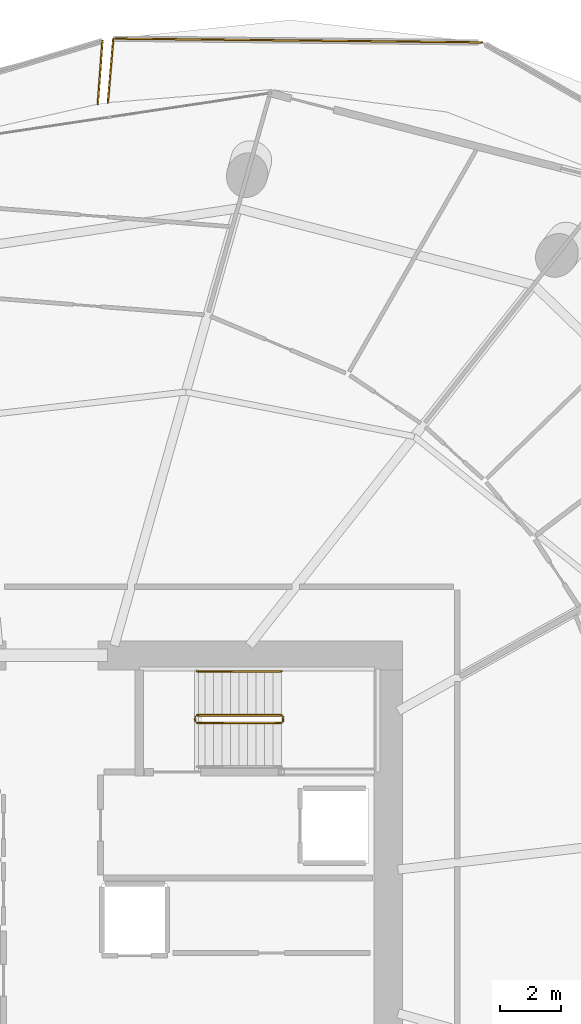
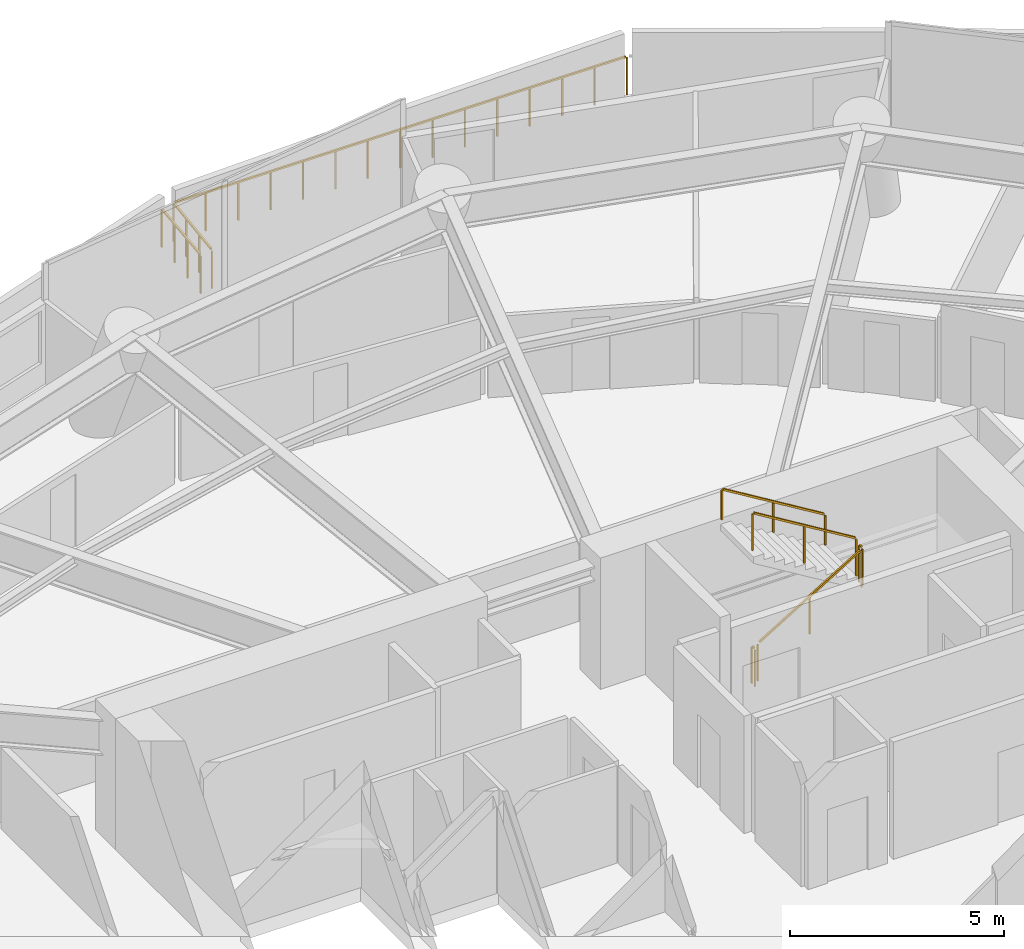
# One storey, part 30 of 31: 8 railings.
"""IFC4 building model written with IfcOpenShell, lengths in metres."""

from ifc_helpers import new_model, si_unit, direction, frame, origin, origin_2d, place, context, subcontext, project, spatial, rectangle, extrude, material, type_object, element, save


model = new_model("IFC4")

# Units and contexts
model_context = context("Model", 3, precision=1e-05, world=origin(), true_north=direction((0.0, 1.0)))
body_context = subcontext(model_context, "Body", "Model", "MODEL_VIEW")
ifc_project = project(units=[si_unit("LENGTHUNIT", "METRE"), si_unit("AREAUNIT", "SQUARE_METRE"), si_unit("VOLUMEUNIT", "CUBIC_METRE"), si_unit("PLANEANGLEUNIT", "RADIAN"), si_unit("MASSUNIT", "GRAM", prefix="KILO")], contexts=[model_context])

# Site, building, storey
site_placement = place(None, origin())
site = spatial("IfcSite", under=ifc_project, at=site_placement, CompositionType="ELEMENT")
building_placement = place(site_placement, origin())
building = spatial("IfcBuilding", under=site, at=building_placement, Name="Kazma Halo Residences", CompositionType="ELEMENT")
storey_placement = place(building_placement, frame((0.0, 0.0, 71.39990234375)))
storey = spatial("IfcBuildingStorey", under=building, at=storey_placement, Name="L17", CompositionType="ELEMENT", Elevation=71.39990234375)

# Railings
ifc_material_1 = material(Name="Aluminium AW-6063 T6 Brushed Cap Rail", Category="aluminium")
railing_type_1 = type_object("IfcRailingType", Name="RLG-BAL-CAP-1120", PredefinedType="BALUSTRADE", material=ifc_material_1)
railing_1_placement = place(storey_placement, frame((62.63232421875, 70.717529296875, 0.0)))
element("IfcRailing", 1, at=railing_1_placement, inside=storey, type_object=railing_type_1, Name="L17 NE wave balcony guard 3", PredefinedType="BALUSTRADE", context=body_context, shape_type="SweptSolid", body=[
    extrude(rectangle(XDim=0.050048828125, YDim=0.050048828125, at=origin_2d()), frame((-0.04248046875, 0.00048828125, 1.09521484375), z_axis=(-0.999947591404, 0.010237892591, 0.0), x_axis=(-0.010237892591, -0.999947591404, 0.0)), (0.0, 0.0, 1.0), 12.1005859375),
    extrude(rectangle(XDim=0.0400390625, YDim=0.0400390625, at=origin_2d()), origin(), (0.0, 0.0, 1.0), 1.05810546875),
    extrude(rectangle(XDim=0.0400390625, YDim=0.0400390625, at=origin_2d()), frame((-0.870361328125, 0.0087890625, 0.0)), (0.0, 0.0, 1.0), 1.05810546875),
    extrude(rectangle(XDim=0.0400390625, YDim=0.0400390625, at=origin_2d()), frame((-1.74072265625, 0.017822265625, 0.0)), (0.0, 0.0, 1.0), 1.05810546875),
    extrude(rectangle(XDim=0.0400390625, YDim=0.0400390625, at=origin_2d()), frame((-2.611083984375, 0.02685546875, 0.0)), (0.0, 0.0, 1.0), 1.05810546875),
    extrude(rectangle(XDim=0.0400390625, YDim=0.0400390625, at=origin_2d()), frame((-3.4814453125, 0.03564453125, 0.0)), (0.0, 0.0, 1.0), 1.05810546875),
    extrude(rectangle(XDim=0.0400390625, YDim=0.0400390625, at=origin_2d()), frame((-4.351806640625, 0.04443359375, 0.0)), (0.0, 0.0, 1.0), 1.05810546875),
    extrude(rectangle(XDim=0.0400390625, YDim=0.0400390625, at=origin_2d()), frame((-5.22216796875, 0.053466796875, 0.0)), (0.0, 0.0, 1.0), 1.05810546875),
    extrude(rectangle(XDim=0.0400390625, YDim=0.0400390625, at=origin_2d()), frame((-6.092529296875, 0.0625, 0.0)), (0.0, 0.0, 1.0), 1.05810546875),
    extrude(rectangle(XDim=0.0400390625, YDim=0.0400390625, at=origin_2d()), frame((-6.962890625, 0.0712890625, 0.0)), (0.0, 0.0, 1.0), 1.05810546875),
    extrude(rectangle(XDim=0.0400390625, YDim=0.0400390625, at=origin_2d()), frame((-7.833251953125, 0.080078125, 0.0)), (0.0, 0.0, 1.0), 1.05810546875),
    extrude(rectangle(XDim=0.0400390625, YDim=0.0400390625, at=origin_2d()), frame((-8.70361328125, 0.089111328125, 0.0)), (0.0, 0.0, 1.0), 1.05810546875),
    extrude(rectangle(XDim=0.0400390625, YDim=0.0400390625, at=origin_2d()), frame((-9.573974609375, 0.09814453125, 0.0)), (0.0, 0.0, 1.0), 1.05810546875),
    extrude(rectangle(XDim=0.0400390625, YDim=0.0400390625, at=origin_2d()), frame((-10.4443359375, 0.10693359375, 0.0)), (0.0, 0.0, 1.0), 1.05810546875),
    extrude(rectangle(XDim=0.0400390625, YDim=0.0400390625, at=origin_2d()), frame((-11.314697265625, 0.11572265625, 0.0)), (0.0, 0.0, 1.0), 1.05810546875),
    extrude(rectangle(XDim=0.0400390625, YDim=0.0400390625, at=origin_2d()), frame((-12.18505859375, 0.124755859375, 0.0)), (0.0, 0.0, 1.0), 1.05810546875),
])
railing_2_placement = place(storey_placement, frame((50.447265625, 70.84228515625, 0.0)))
element("IfcRailing", 2, at=railing_2_placement, inside=storey, type_object=railing_type_1, Name="L17 NE wave balcony guard 4", PredefinedType="BALUSTRADE", context=body_context, shape_type="SweptSolid", body=[
    extrude(rectangle(XDim=0.050048828125, YDim=0.050048828125, at=origin_2d()), frame((-0.003662109375, -0.04248046875, 1.09521484375), z_axis=(-0.084522527602, -0.996421568578, 0.0), x_axis=(0.996421568578, -0.084522527602, 0.0)), (0.0, 0.0, 1.0), 2.03515625),
    extrude(rectangle(XDim=0.0400390625, YDim=0.0400390625, at=origin_2d()), origin(), (0.0, 0.0, 1.0), 1.05810546875),
    extrude(rectangle(XDim=0.0400390625, YDim=0.0400390625, at=origin_2d()), frame((-0.059814453125, -0.7041015625, 0.0)), (0.0, 0.0, 1.0), 1.05810546875),
    extrude(rectangle(XDim=0.0400390625, YDim=0.0400390625, at=origin_2d()), frame((-0.119384765625, -1.408447265625, 0.0)), (0.0, 0.0, 1.0), 1.05810546875),
    extrude(rectangle(XDim=0.0400390625, YDim=0.0400390625, at=origin_2d()), frame((-0.17919921875, -2.112548828125, 0.0)), (0.0, 0.0, 1.0), 1.05810546875),
])
railing_3_placement = place(storey_placement, frame((49.935791015625, 68.679931640625, 0.0)))
element("IfcRailing", 3, at=railing_3_placement, inside=storey, type_object=railing_type_1, Name="L17 NNW wave balcony guard 1", PredefinedType="BALUSTRADE", context=body_context, shape_type="SweptSolid", body=[
    extrude(rectangle(XDim=0.050048828125, YDim=0.050048828125, at=origin_2d()), frame((0.003173828125, 0.04248046875, 1.09521484375), z_axis=(0.072331354439, 0.997380657104, 0.0), x_axis=(-0.997380657104, 0.072331354439, 0.0)), (0.0, 0.0, 1.0), 2.010986328125),
    extrude(rectangle(XDim=0.0400390625, YDim=0.0400390625, at=origin_2d()), origin(), (0.0, 0.0, 1.0), 1.05810546875),
    extrude(rectangle(XDim=0.0400390625, YDim=0.0400390625, at=origin_2d()), frame((0.050537109375, 0.69677734375, 0.0)), (0.0, 0.0, 1.0), 1.05810546875),
    extrude(rectangle(XDim=0.0400390625, YDim=0.0400390625, at=origin_2d()), frame((0.10107421875, 1.393798828125, 0.0)), (0.0, 0.0, 1.0), 1.05810546875),
    extrude(rectangle(XDim=0.0400390625, YDim=0.0400390625, at=origin_2d()), frame((0.151611328125, 2.090576171875, 0.0)), (0.0, 0.0, 1.0), 1.05810546875),
])
ifc_material_2 = material(Name="Painted Steel S355", Category="steel")
railing_type_2 = type_object("IfcRailingType", Name="RLG-STAIR-GRD-1100", PredefinedType="GUARDRAIL", material=ifc_material_2)
railing_4_placement = place(storey_placement, frame((53.199951171875, 48.25, 0.170654296875)))
element("IfcRailing", 4, at=railing_4_placement, inside=storey, type_object=railing_type_2, Name="L17 ST-02 stair guard 1", PredefinedType="GUARDRAIL", context=body_context, shape_type="SweptSolid", body=[
    extrude(rectangle(XDim=0.050048828125, YDim=0.050048828125, at=origin_2d()), frame((0.036376953125, 0.0, 1.09716796875), z_axis=(0.854202870247, 0.0, 0.519939858505), x_axis=(0.0, 1.0, 0.0)), (0.0, 0.0, 1.0), 3.19287109375),
    extrude(rectangle(XDim=0.0400390625, YDim=0.0400390625, at=origin_2d()), origin(), (0.0, 0.0, 1.0), 1.0380859375),
    extrude(rectangle(XDim=0.0400390625, YDim=0.0400390625, at=origin_2d()), frame((1.39990234375, 0.0, 0.85205078125)), (0.0, 0.0, 1.0), 1.0380859375),
    extrude(rectangle(XDim=0.0400390625, YDim=0.0400390625, at=origin_2d()), frame((2.800048828125, 0.0, 1.704345703125)), (0.0, 0.0, 1.0), 1.0380859375),
])
railing_5_placement = place(storey_placement, frame((56.050048828125, 48.300048828125, 1.875)))
element("IfcRailing", 5, at=railing_5_placement, inside=storey, type_object=railing_type_2, Name="L17 ST-02 stair guard 2", PredefinedType="GUARDRAIL", context=body_context, shape_type="SweptSolid", body=[
    extrude(rectangle(XDim=0.050048828125, YDim=0.050048828125, at=origin_2d()), frame((0.0, 0.04248046875, 1.0751953125), z_axis=(0.0, 1.0, 0.0), x_axis=(-1.0, 0.0, 0.0)), (0.0, 0.0, 1.0), 0.06494140625),
    extrude(rectangle(XDim=0.0400390625, YDim=0.0400390625, at=origin_2d()), origin(), (0.0, 0.0, 1.0), 1.0380859375),
    extrude(rectangle(XDim=0.0400390625, YDim=0.0400390625, at=origin_2d()), frame((0.0, 0.14990234375, 0.0)), (0.0, 0.0, 1.0), 1.0380859375),
])
railing_6_placement = place(storey_placement, frame((56.0, 48.5, 2.045654296875)))
element("IfcRailing", 6, at=railing_6_placement, inside=storey, type_object=railing_type_2, Name="L17 ST-02 stair guard 3", PredefinedType="GUARDRAIL", context=body_context, shape_type="SweptSolid", body=[
    extrude(rectangle(XDim=0.050048828125, YDim=0.050048828125, at=origin_2d()), frame((-0.036376953125, 0.0, 1.09716796875), z_axis=(-0.854202870247, 0.0, 0.519939858505), x_axis=(0.0, -1.0, 0.0)), (0.0, 0.0, 1.0), 3.19287109375),
    extrude(rectangle(XDim=0.0400390625, YDim=0.0400390625, at=origin_2d()), origin(), (0.0, 0.0, 1.0), 1.0380859375),
    extrude(rectangle(XDim=0.0400390625, YDim=0.0400390625, at=origin_2d()), frame((-1.39990234375, 0.0, 0.85205078125)), (0.0, 0.0, 1.0), 1.0380859375),
    extrude(rectangle(XDim=0.0400390625, YDim=0.0400390625, at=origin_2d()), frame((-2.800048828125, 0.0, 1.704345703125)), (0.0, 0.0, 1.0), 1.0380859375),
])
railing_7_placement = place(storey_placement, frame((53.14990234375, 48.300048828125, 0.0)))
element("IfcRailing", 7, at=railing_7_placement, inside=storey, type_object=railing_type_2, Name="L17 ST-02 stair guard 4", PredefinedType="GUARDRAIL", context=body_context, shape_type="SweptSolid", body=[
    extrude(rectangle(XDim=0.050048828125, YDim=0.050048828125, at=origin_2d()), frame((0.0, 0.04248046875, 1.0751953125), z_axis=(0.0, 1.0, 0.0), x_axis=(-1.0, 0.0, 0.0)), (0.0, 0.0, 1.0), 0.06494140625),
    extrude(rectangle(XDim=0.0400390625, YDim=0.0400390625, at=origin_2d()), origin(), (0.0, 0.0, 1.0), 1.0380859375),
    extrude(rectangle(XDim=0.0400390625, YDim=0.0400390625, at=origin_2d()), frame((0.0, 0.14990234375, 0.0)), (0.0, 0.0, 1.0), 1.0380859375),
])
ifc_material_3 = material(Name="Brushed Stainless Steel", Category="steel")
railing_type_3 = type_object("IfcRailingType", Name="RLG-STAIR-HND-900", PredefinedType="HANDRAIL", material=ifc_material_3)
railing_8_placement = place(storey_placement, frame((56.0, 49.949951171875, 2.045654296875)))
element("IfcRailing", 8, at=railing_8_placement, inside=storey, type_object=railing_type_3, Name="L17 ST-02 stair handrail 2", PredefinedType="HANDRAIL", context=body_context, shape_type="SweptSolid", body=[
    extrude(rectangle(XDim=0.050048828125, YDim=0.050048828125, at=origin_2d()), frame((-0.036376953125, 0.0, 0.89697265625), z_axis=(-0.854202870247, 0.0, 0.519939858505), x_axis=(0.0, -1.0, 0.0)), (0.0, 0.0, 1.0), 3.19287109375),
    extrude(rectangle(XDim=0.0400390625, YDim=0.0400390625, at=origin_2d()), origin(), (0.0, 0.0, 1.0), 0.837890625),
    extrude(rectangle(XDim=0.0400390625, YDim=0.0400390625, at=origin_2d()), frame((-1.39990234375, 0.0, 0.85205078125)), (0.0, 0.0, 1.0), 0.837890625),
    extrude(rectangle(XDim=0.0400390625, YDim=0.0400390625, at=origin_2d()), frame((-2.800048828125, 0.0, 1.704345703125)), (0.0, 0.0, 1.0), 0.837890625),
])

save(model, "model.ifc")
